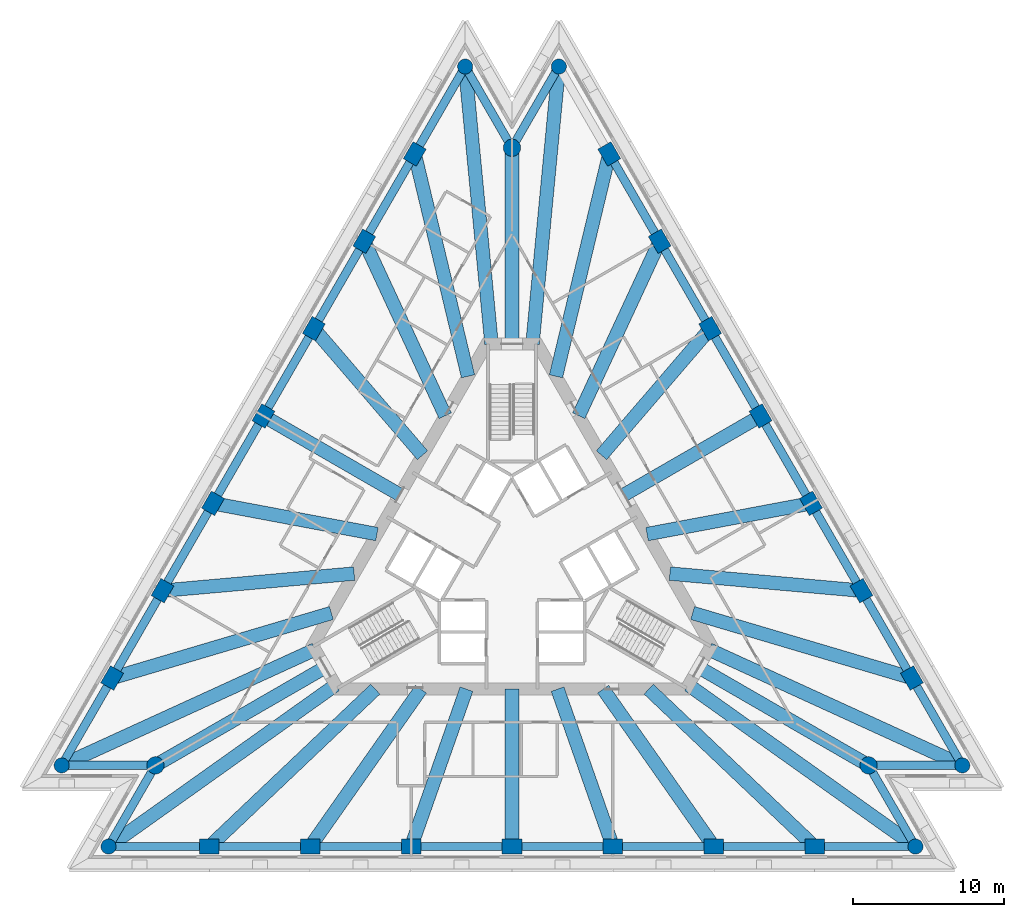
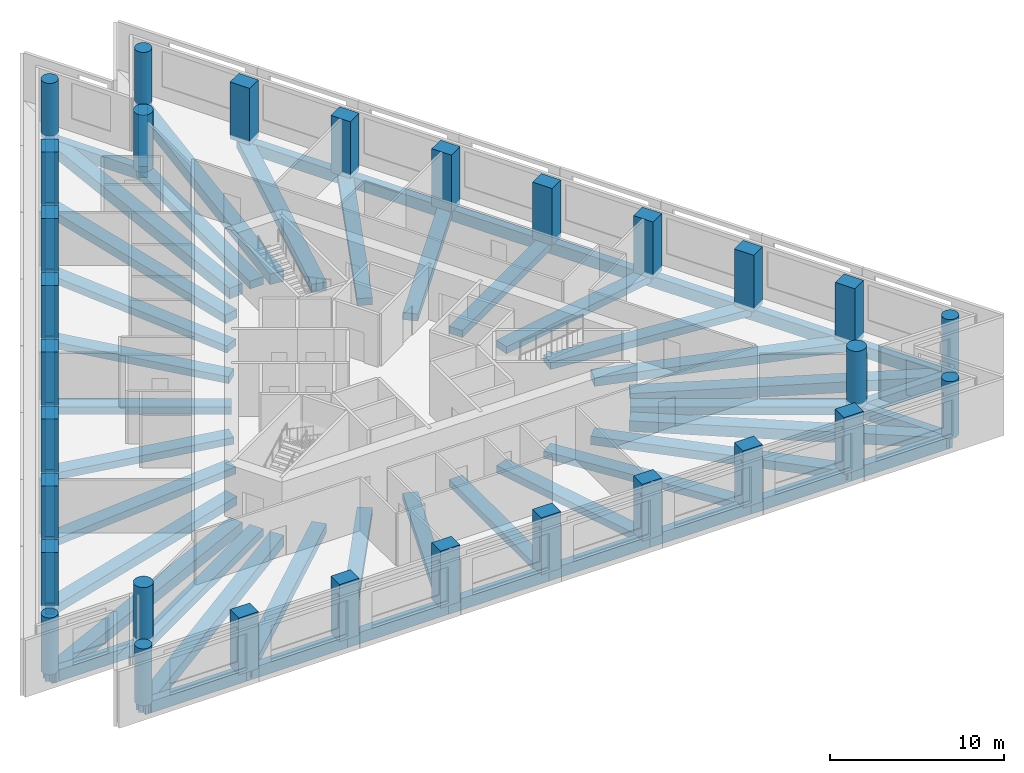
# One storey, part 1 of 9: 59 beams, 30 columns.
"""IFC4 building model written with IfcOpenShell, lengths in metres."""

import ifcopenshell
import ifcopenshell.guid

model = None  # the IFC model being written
_history = None  # IfcOwnerHistory: only IFC2X3 demands one
_inside = {}  # id of a spatial element -> (the spatial element, [elements in it])
_under = {}  # id of a project, library or spatial element -> (it, [spatial elements below it])
_declared = {}  # id of a project -> (the project, [libraries it declares])
_typed = {}  # id of a type object -> (the type object, [elements of that type])
_made_of = {}  # id of a material, layer set ... -> (it, [elements and type objects made of it])


def new_model(schema):
    """Start an empty IFC model of exactly this schema.

    Asked for "IFC4X3", IfcOpenShell would pick the latest addendum, in which some entities
    have other attributes; the version numbers below select the first issue.
    IFC2X3 requires an IfcOwnerHistory on every rooted entity: one is made here for all.
    """
    global model, _history
    if schema == "IFC4X3":
        model = ifcopenshell.file(schema_version=(4, 3, 0, 0))
    else:
        model = ifcopenshell.file(schema=schema)
    _inside.clear()
    _under.clear()
    _declared.clear()
    _typed.clear()
    _made_of.clear()
    _history = None
    if model.schema == "IFC2X3":
        org = make("IfcOrganization", Name="unknown")
        user = make(
            "IfcPersonAndOrganization",
            ThePerson=make("IfcPerson", FamilyName="unknown"),
            TheOrganization=org,
        )
        app = make(
            "IfcApplication",
            ApplicationDeveloper=org,
            Version="unknown",
            ApplicationFullName="unknown",
            ApplicationIdentifier="unknown",
        )
        _history = make(
            "IfcOwnerHistory",
            OwningUser=user,
            OwningApplication=app,
            ChangeAction="ADDED",
            CreationDate=0,
        )
    return model


def make(cls, **values):
    """One entity of the class cls with the attributes given. An attribute that is None is left unset."""
    return model.create_entity(
        cls, **{name: value for name, value in values.items() if value is not None}
    )


def rooted(cls, **values):
    """An entity with a GlobalId (a new one), such as an element, a storey or a relation."""
    return make(cls, GlobalId=ifcopenshell.guid.new(), OwnerHistory=_history, **values)


def si_unit(unit_type, name, prefix=None):
    """IfcSIUnit, for example si_unit("LENGTHUNIT", "METRE", prefix="MILLI")."""
    return make("IfcSIUnit", UnitType=unit_type, Prefix=prefix, Name=name)


def assignment(units):
    """IfcUnitAssignment: the units of a project."""
    return None if units is None else make("IfcUnitAssignment", Units=units)


def point(xyz):
    """IfcCartesianPoint."""
    return None if xyz is None else make("IfcCartesianPoint", Coordinates=xyz)


def direction(xyz):
    """IfcDirection."""
    return None if xyz is None else make("IfcDirection", DirectionRatios=xyz)


def frame(location, z_axis=None, x_axis=None):
    """IfcAxis2Placement3D, a coordinate frame: its origin and axes. An axis left out is left unset."""
    return make(
        "IfcAxis2Placement3D",
        Location=point(location),
        Axis=direction(z_axis),
        RefDirection=direction(x_axis),
    )


def frame_2d(location, x_axis=None):
    """IfcAxis2Placement2D, a coordinate frame in the plane: its origin and x axis."""
    return make(
        "IfcAxis2Placement2D", Location=point(location), RefDirection=direction(x_axis)
    )


def origin():
    """The frame at (0, 0, 0) with its axes left unset."""
    return frame((0.0, 0.0, 0.0))


def origin_2d():
    """The frame at (0, 0) in the plane with its x axis left unset."""
    return frame_2d((0.0, 0.0))


def place(relative_to, where):
    """IfcLocalPlacement: puts the frame where relative to a parent placement (None: the world)."""
    return make(
        "IfcLocalPlacement", PlacementRelTo=relative_to, RelativePlacement=where
    )


def context(
    kind, dimensions, precision=None, world=None, true_north=None, identifier=None
):
    """IfcGeometricRepresentationContext, for example the 3D "Model" context."""
    return make(
        "IfcGeometricRepresentationContext",
        ContextIdentifier=identifier,
        ContextType=kind,
        CoordinateSpaceDimension=dimensions,
        Precision=precision,
        WorldCoordinateSystem=world,
        TrueNorth=true_north,
    )


def subcontext(parent, identifier, kind, view, scale=None):
    """IfcGeometricRepresentationSubContext, for example "Body" below "Model"."""
    return make(
        "IfcGeometricRepresentationSubContext",
        ContextIdentifier=identifier,
        ContextType=kind,
        ParentContext=parent,
        TargetScale=scale,
        TargetView=view,
    )


def project(units=None, contexts=None):
    """IfcProject with its units and contexts."""
    return rooted(
        "IfcProject",
        Name="project",
        RepresentationContexts=contexts,
        UnitsInContext=assignment(units),
    )


def spatial(cls, under=None, at=None, **own):
    """A site, building, storey or space (cls), placed at a placement, below another one or the project."""
    s = rooted(cls, ObjectPlacement=at, **own)
    if under is not None:
        _under.setdefault(under.id(), (under, []))[1].append(s)
    return s


def profile(cls, at=None, kind="AREA", **sizes):
    """A parametric profile (cls). Its sizes go by their IFC names, for example OverallWidth=200.0."""
    return make(cls, ProfileType=kind, Position=at, **sizes)


def rectangle(**sizes):
    """IfcRectangleProfileDef."""
    return profile("IfcRectangleProfileDef", **sizes)


def circle(**sizes):
    """IfcCircleProfileDef."""
    return profile("IfcCircleProfileDef", **sizes)


def extrude(swept, where, along, depth):
    """IfcExtrudedAreaSolid: the profile swept, set in the frame where, extruded along a direction by depth."""
    return make(
        "IfcExtrudedAreaSolid",
        SweptArea=swept,
        Position=where,
        ExtrudedDirection=direction(along),
        Depth=depth,
    )


def shape(context_of_items, identifier, shape_type, items):
    """IfcShapeRepresentation: the items that make up one representation, for example the "Body"."""
    return make(
        "IfcShapeRepresentation",
        ContextOfItems=context_of_items,
        RepresentationIdentifier=identifier,
        RepresentationType=shape_type,
        Items=items,
    )


def material(Name=None, Category=None):
    """IfcMaterial."""
    return make("IfcMaterial", Name=Name, Category=Category)


def material_profile(
    of_material, cross_section, Name=None, Category=None, Priority=None
):
    """IfcMaterialProfile: a cross section and its material."""
    return make(
        "IfcMaterialProfile",
        Name=Name,
        Material=of_material,
        Profile=cross_section,
        Priority=Priority,
        Category=Category,
    )


def profile_set(profiles, Name=None, composite=None):
    """IfcMaterialProfileSet."""
    return make(
        "IfcMaterialProfileSet",
        Name=Name,
        MaterialProfiles=profiles,
        CompositeProfile=composite,
    )


def made_of(thing, what):
    """Note that an element or type object is made of a material, layer set ...; save() writes the relation."""
    if what is not None:
        _made_of.setdefault(what.id(), (what, []))[1].append(thing)
    return thing


def type_object(cls, material=None, **own):
    """A type object (cls), such as IfcWallType, which elements share."""
    return made_of(rooted(cls, **own), material)


def element(
    cls,
    number,
    at=None,
    inside=None,
    cuts=None,
    type_object=None,
    material=None,
    context=None,
    identifier="Body",
    shape_type=None,
    held_by="IfcProductDefinitionShape",
    body=None,
    shapes=None,
    **own,
):
    """One element of the class cls, such as IfcWall. Its Tag is "e" and its number.

    at: its placement. inside: the storey or other place that contains it. cuts: it is an
    opening in that element (IfcRelVoidsElement). A single representation is given by context,
    identifier, shape_type and body (its items); several are given by shapes. held_by: the class
    of the entity that holds the representations. save() writes the other relations.
    """
    e = rooted(cls, Tag="e%d" % number, ObjectPlacement=at, **own)
    if body is not None:
        shapes = [shape(context, identifier, shape_type, body)]
    if shapes is not None:
        e.Representation = make(held_by, Representations=shapes)
    if inside is not None:
        _inside.setdefault(inside.id(), (inside, []))[1].append(e)
    if cuts is not None:
        rooted(
            "IfcRelVoidsElement", RelatingBuildingElement=cuts, RelatedOpeningElement=e
        )
    if type_object is not None:
        _typed.setdefault(type_object.id(), (type_object, []))[1].append(e)
    return made_of(e, material)


def aggregate(whole, parts):
    """IfcRelAggregates: a whole, such as a stair, and the parts it consists of."""
    return rooted("IfcRelAggregates", RelatingObject=whole, RelatedObjects=parts)


def save(model, path):
    """Write the relations noted so far, then the file.

    IfcRelAggregates (storeys below a building ...), IfcRelContainedInSpatialStructure (elements
    in a storey), IfcRelDefinesByType, IfcRelAssociatesMaterial and IfcRelDeclares: one each for
    every whole, place, type object, material and project.
    """
    for whole, parts in _under.values():
        aggregate(whole, parts)
    for where, things in _inside.values():
        rooted(
            "IfcRelContainedInSpatialStructure",
            RelatedElements=things,
            RelatingStructure=where,
        )
    for kind, things in _typed.values():
        rooted("IfcRelDefinesByType", RelatedObjects=things, RelatingType=kind)
    for what, things in _made_of.values():
        rooted("IfcRelAssociatesMaterial", RelatedObjects=things, RelatingMaterial=what)
    for by, libraries in _declared.values():
        rooted("IfcRelDeclares", RelatingContext=by, RelatedDefinitions=libraries)
    model.write(path)


model = new_model("IFC4")

# Units and contexts
model_context = context("Model", 3, precision=1e-05, world=origin(), true_north=direction((0.0, 1.0)))
body_context = subcontext(model_context, "Body", "Model", "MODEL_VIEW")
ifc_project = project(units=[si_unit("LENGTHUNIT", "METRE"), si_unit("AREAUNIT", "SQUARE_METRE"), si_unit("VOLUMEUNIT", "CUBIC_METRE"), si_unit("PLANEANGLEUNIT", "RADIAN"), si_unit("MASSUNIT", "GRAM", prefix="KILO")], contexts=[model_context])

# Site, building, storey
site_placement = place(None, origin())
site = spatial("IfcSite", under=ifc_project, at=site_placement, CompositionType="ELEMENT")
building_placement = place(site_placement, origin())
building = spatial("IfcBuilding", under=site, at=building_placement, Name="Triada Interchange Tower", CompositionType="ELEMENT")
storey_placement = place(building_placement, frame((0.0, 0.0, 140.300048828125)))
storey = spatial("IfcBuildingStorey", under=building, at=storey_placement, Name="L32", CompositionType="ELEMENT", Elevation=140.300048828125)

# Columns
ifc_material_1 = material(Name="Concrete C60/75", Category="concrete")
ifc_material_profile_1 = material_profile(ifc_material_1, rectangle(XDim=1.300048828125, YDim=1.0, at=origin_2d()), Name="RC 1300x1000")
ifc_profile_set_1 = profile_set([ifc_material_profile_1], Name="Concrete C60/75")
column_type_1 = type_object("IfcColumnType", Name="Column B face RC 1300x1000", PredefinedType="COLUMN", material=ifc_profile_set_1)
for number, where, z_axis, x_axis, name in (
    (1, (-6.452880859375, 26.89990234375, -0.300048828125), (0.0, 0.0, 1.0), (0.5, 0.866025403784, 0.0), "Column CB02 L32"),
    (2, (-9.798095703125, 21.10693359375, -0.300048828125), (0.0, 0.0, 1.0), (0.5, 0.866025403784, 0.0), "Column CB03 L32"),
    (3, (-13.14306640625, 15.31298828125, -0.300048828125), (0.0, 0.0, 1.0), (0.5, 0.866025403784, 0.0), "Column CB04 L32"),
    (4, (-16.488037109375, 9.52001953125, -0.300048828125), (0.0, 0.0, 1.0), (0.5, 0.866025403784, 0.0), "Column CB05 L32"),
    (5, (-19.8330078125, 3.72607421875, -0.300048828125), (0.0, 0.0, 1.0), (0.5, 0.866025403784, 0.0), "Column CB06 L32"),
    (6, (-23.177978515625, -2.068115234375, -0.300048828125), (0.0, 0.0, 1.0), (0.5, 0.866025403784, 0.0), "Column CB07 L32"),
    (7, (-26.52294921875, -7.861083984375, -0.300048828125), (0.0, 0.0, 1.0), (0.5, 0.866025403784, 0.0), "Column CB08 L32"),
    (8, (-20.070068359375, -19.0390625, -0.300048828125), (0.0, 0.0, 1.0), (1.0, 0.0, 0.0), "Column CB11 L32"),
    (9, (-13.3798828125, -19.0390625, -0.300048828125), (0.0, 0.0, 1.0), (1.0, 0.0, 0.0), "Column CB12 L32"),
    (10, (-6.68994140625, -19.0390625, -0.300048828125), (0.0, 0.0, 1.0), (1.0, 0.0, 0.0), "Column CB13 L32"),
    (11, (0.0, -19.0390625, -0.300048828125), (0.0, 0.0, 1.0), (1.0, 0.0, 0.0), "Column CB14 L32"),
    (12, (6.68994140625, -19.0390625, -0.300048828125), (0.0, 0.0, 1.0), (1.0, 0.0, 0.0), "Column CB15 L32"),
    (13, (13.3798828125, -19.0390625, -0.300048828125), (0.0, 0.0, 1.0), (1.0, 0.0, 0.0), "Column CB16 L32"),
    (14, (20.070068359375, -19.0390625, -0.300048828125), (0.0, 0.0, 1.0), (1.0, 0.0, 0.0), "Column CB17 L32"),
    (15, (26.52294921875, -7.861083984375, -0.300048828125), (0.0, 0.0, 1.0), (-0.5, 0.866025403784, 0.0), "Column CB20 L32"),
    (16, (23.177978515625, -2.068115234375, -0.300048828125), (0.0, 0.0, 1.0), (-0.5, 0.866025403784, 0.0), "Column CB21 L32"),
    (17, (19.8330078125, 3.72607421875, -0.300048828125), (0.0, 0.0, 1.0), (-0.5, 0.866025403784, 0.0), "Column CB22 L32"),
    (18, (16.488037109375, 9.52001953125, -0.300048828125), (0.0, 0.0, 1.0), (-0.5, 0.866025403784, 0.0), "Column CB23 L32"),
    (19, (13.14306640625, 15.31298828125, -0.300048828125), (0.0, 0.0, 1.0), (-0.5, 0.866025403784, 0.0), "Column CB24 L32"),
    (20, (9.798095703125, 21.10693359375, -0.300048828125), (0.0, 0.0, 1.0), (-0.5, 0.866025403784, 0.0), "Column CB25 L32"),
    (21, (6.452880859375, 26.89990234375, -0.300048828125), (0.0, 0.0, 1.0), (-0.5, 0.866025403784, 0.0), "Column CB26 L32"),
):
    element("IfcColumn", number, at=place(storey_placement, frame(where, z_axis=z_axis, x_axis=x_axis)), inside=storey, type_object=column_type_1, Name=name, PredefinedType="COLUMN", context=body_context, shape_type="SweptSolid", body=[
        extrude(rectangle(XDim=1.300048828125, YDim=1.0, at=origin_2d()), origin(), (0.0, 0.0, 1.0), 4.0),
    ])
ifc_material_profile_2 = material_profile(ifc_material_1, circle(Radius=0.5, at=origin_2d()), Name="RC D1000")
ifc_profile_set_2 = profile_set([ifc_material_profile_2], Name="Concrete C60/75")
column_type_2 = type_object("IfcColumnType", Name="End column B RC D1000", PredefinedType="COLUMN", material=ifc_profile_set_2)
for number, where, z_axis, x_axis, name in (
    (22, (-3.10791015625, 32.694091796875, -0.300048828125), (0.0, 0.0, 1.0), (0.5, 0.866025403784, 0.0), "Column CB01 L32"),
    (23, (-29.867919921875, -13.655029296875, -0.300048828125), (0.0, 0.0, 1.0), (0.5, 0.866025403784, 0.0), "Column CB09 L32"),
    (24, (-26.760009765625, -19.0390625, -0.300048828125), (0.0, 0.0, 1.0), (1.0, 0.0, 0.0), "Column CB10 L32"),
    (25, (26.760009765625, -19.0390625, -0.300048828125), (0.0, 0.0, 1.0), (1.0, 0.0, 0.0), "Column CB18 L32"),
    (26, (29.867919921875, -13.655029296875, -0.300048828125), (0.0, 0.0, 1.0), (-0.5, 0.866025403784, 0.0), "Column CB19 L32"),
    (27, (3.10791015625, 32.694091796875, -0.300048828125), (0.0, 0.0, 1.0), (-0.5, 0.866025403784, 0.0), "Column CB27 L32"),
):
    element("IfcColumn", number, at=place(storey_placement, frame(where, z_axis=z_axis, x_axis=x_axis)), inside=storey, type_object=column_type_2, Name=name, PredefinedType="COLUMN", context=body_context, shape_type="SweptSolid", body=[
        extrude(circle(Radius=0.5, at=origin_2d()), origin(), (0.0, 0.0, 1.0), 4.0),
    ])
ifc_material_profile_3 = material_profile(ifc_material_1, circle(Radius=0.574951171875, at=origin_2d()), Name="RC D1150")
ifc_profile_set_3 = profile_set([ifc_material_profile_3], Name="Concrete C60/75")
column_type_3 = type_object("IfcColumnType", Name="Mega column B RC D1150", PredefinedType="COLUMN", material=ifc_profile_set_3)
for number, where, z_axis, x_axis, name in (
    (28, (0.0, 27.31103515625, -0.300048828125), (0.0, 0.0, 1.0), (1.0, 0.0, 0.0), "Column MB1 L32"),
    (29, (-23.652099609375, -13.655029296875, -0.300048828125), (0.0, 0.0, 1.0), (1.0, 0.0, 0.0), "Column MB2 L32"),
    (30, (23.652099609375, -13.655029296875, -0.300048828125), (0.0, 0.0, 1.0), (1.0, 0.0, 0.0), "Column MB3 L32"),
):
    element("IfcColumn", number, at=place(storey_placement, frame(where, z_axis=z_axis, x_axis=x_axis)), inside=storey, type_object=column_type_3, Name=name, PredefinedType="COLUMN", context=body_context, shape_type="SweptSolid", body=[
        extrude(circle(Radius=0.574951171875, at=origin_2d()), origin(), (0.0, 0.0, 1.0), 4.0),
    ])

# Beams
ifc_material_2 = material(Name="Concrete C50/60", Category="concrete")
ifc_material_profile_4 = material_profile(ifc_material_2, rectangle(XDim=0.89990234375, YDim=0.5, at=origin_2d()), Name="RC 900x500")
ifc_profile_set_4 = profile_set([ifc_material_profile_4], Name="Concrete C50/60")
beam_type_1 = type_object("IfcBeamType", Name="Radial band beam B RC 900x500", PredefinedType="BEAM", material=ifc_profile_set_4)
beam_1_placement = place(storey_placement, frame((-9.798095703125, 21.10693359375, -0.550048828125), z_axis=(0.421039906422, -0.907042114348, 0.0), x_axis=(0.907042114348, 0.421039906422, 0.0)))
element("IfcBeam", 31, at=beam_1_placement, inside=storey, type_object=beam_type_1, Name="Radial band beam BB03 L32", PredefinedType="BEAM", context=body_context, shape_type="SweptSolid", body=[
    extrude(rectangle(XDim=0.89990234375, YDim=0.5, at=origin_2d()), origin(), (0.0, 0.0, 1.0), 12.759033203125),
])
beam_2_placement = place(storey_placement, frame((-13.14306640625, 15.31298828125, -0.550048828125), z_axis=(0.651285502913, -0.758832783751, 0.0), x_axis=(0.758832783751, 0.651285502913, 0.0)))
element("IfcBeam", 32, at=beam_2_placement, inside=storey, type_object=beam_type_1, Name="Radial band beam BB04 L32", PredefinedType="BEAM", context=body_context, shape_type="SweptSolid", body=[
    extrude(rectangle(XDim=0.89990234375, YDim=0.5, at=origin_2d()), origin(), (0.0, 0.0, 1.0), 11.064453125),
])
beam_3_placement = place(storey_placement, frame((-16.488037109375, 9.52001953125, -0.550048828125), z_axis=(0.86601968407, -0.500009906705, 0.0), x_axis=(0.500009906705, 0.86601968407, 0.0)))
element("IfcBeam", 33, at=beam_3_placement, inside=storey, type_object=beam_type_1, Name="Radial band beam BB05 L32", PredefinedType="BEAM", context=body_context, shape_type="SweptSolid", body=[
    extrude(rectangle(XDim=0.89990234375, YDim=0.5, at=origin_2d()), origin(), (0.0, 0.0, 1.0), 10.439697265625),
])
beam_4_placement = place(storey_placement, frame((-19.8330078125, 3.72607421875, -0.550048828125), z_axis=(0.982808184492, -0.184629554773, 0.0), x_axis=(0.184629554773, 0.982808184492, 0.0)))
element("IfcBeam", 34, at=beam_4_placement, inside=storey, type_object=beam_type_1, Name="Radial band beam BB06 L32", PredefinedType="BEAM", context=body_context, shape_type="SweptSolid", body=[
    extrude(rectangle(XDim=0.89990234375, YDim=0.5, at=origin_2d()), origin(), (0.0, 0.0, 1.0), 11.065185546875),
])
beam_5_placement = place(storey_placement, frame((-23.177978515625, -2.068115234375, -0.550048828125), z_axis=(0.996042546371, 0.088877701473, 0.0), x_axis=(-0.088877701473, 0.996042546371, 0.0)))
element("IfcBeam", 35, at=beam_5_placement, inside=storey, type_object=beam_type_1, Name="Radial band beam BB07 L32", PredefinedType="BEAM", context=body_context, shape_type="SweptSolid", body=[
    extrude(rectangle(XDim=0.89990234375, YDim=0.5, at=origin_2d()), origin(), (0.0, 0.0, 1.0), 12.759521484375),
])
beam_6_placement = place(storey_placement, frame((-13.3798828125, -19.0390625, -0.550048828125), z_axis=(0.574969058631, 0.818175153386, 0.0), x_axis=(-0.818175153386, 0.574969058631, 0.0)))
element("IfcBeam", 36, at=beam_6_placement, inside=storey, type_object=beam_type_1, Name="Radial band beam BB13 L32", PredefinedType="BEAM", context=body_context, shape_type="SweptSolid", body=[
    extrude(rectangle(XDim=0.89990234375, YDim=0.5, at=origin_2d()), origin(), (0.0, 0.0, 1.0), 12.7587890625),
])
beam_7_placement = place(storey_placement, frame((-6.68994140625, -19.0390625, -0.550048828125), z_axis=(0.331504042889, 0.943453798312, 0.0), x_axis=(-0.943453798312, 0.331504042889, 0.0)))
element("IfcBeam", 37, at=beam_7_placement, inside=storey, type_object=beam_type_1, Name="Radial band beam BB14 L32", PredefinedType="BEAM", context=body_context, shape_type="SweptSolid", body=[
    extrude(rectangle(XDim=0.89990234375, YDim=0.5, at=origin_2d()), origin(), (0.0, 0.0, 1.0), 11.064697265625),
])
beam_8_placement = place(storey_placement, frame((0.0, -19.0390625, -0.550048828125), z_axis=(0.0, 1.0, 0.0), x_axis=(-1.0, 0.0, 0.0)))
element("IfcBeam", 38, at=beam_8_placement, inside=storey, type_object=beam_type_1, Name="Radial band beam BB15 L32", PredefinedType="BEAM", context=body_context, shape_type="SweptSolid", body=[
    extrude(rectangle(XDim=0.89990234375, YDim=0.5, at=origin_2d()), origin(), (0.0, 0.0, 1.0), 10.43896484375),
])
beam_9_placement = place(storey_placement, frame((6.68994140625, -19.0390625, -0.550048828125), z_axis=(-0.331504042889, 0.943453798312, 0.0), x_axis=(-0.943453798312, -0.331504042889, 0.0)))
element("IfcBeam", 39, at=beam_9_placement, inside=storey, type_object=beam_type_1, Name="Radial band beam BB16 L32", PredefinedType="BEAM", context=body_context, shape_type="SweptSolid", body=[
    extrude(rectangle(XDim=0.89990234375, YDim=0.5, at=origin_2d()), origin(), (0.0, 0.0, 1.0), 11.064697265625),
])
beam_10_placement = place(storey_placement, frame((13.3798828125, -19.0390625, -0.550048828125), z_axis=(-0.574969058631, 0.818175153386, 0.0), x_axis=(-0.818175153386, -0.574969058631, 0.0)))
element("IfcBeam", 40, at=beam_10_placement, inside=storey, type_object=beam_type_1, Name="Radial band beam BB17 L32", PredefinedType="BEAM", context=body_context, shape_type="SweptSolid", body=[
    extrude(rectangle(XDim=0.89990234375, YDim=0.5, at=origin_2d()), origin(), (0.0, 0.0, 1.0), 12.7587890625),
])
beam_11_placement = place(storey_placement, frame((23.177978515625, -2.068115234375, -0.550048828125), z_axis=(-0.996042546371, 0.088877701473, 0.0), x_axis=(-0.088877701473, -0.996042546371, 0.0)))
element("IfcBeam", 41, at=beam_11_placement, inside=storey, type_object=beam_type_1, Name="Radial band beam BB23 L32", PredefinedType="BEAM", context=body_context, shape_type="SweptSolid", body=[
    extrude(rectangle(XDim=0.89990234375, YDim=0.5, at=origin_2d()), origin(), (0.0, 0.0, 1.0), 12.759521484375),
])
beam_12_placement = place(storey_placement, frame((19.8330078125, 3.72607421875, -0.550048828125), z_axis=(-0.982808184492, -0.184629554773, 0.0), x_axis=(0.184629554773, -0.982808184492, 0.0)))
element("IfcBeam", 42, at=beam_12_placement, inside=storey, type_object=beam_type_1, Name="Radial band beam BB24 L32", PredefinedType="BEAM", context=body_context, shape_type="SweptSolid", body=[
    extrude(rectangle(XDim=0.89990234375, YDim=0.5, at=origin_2d()), origin(), (0.0, 0.0, 1.0), 11.065185546875),
])
beam_13_placement = place(storey_placement, frame((16.488037109375, 9.52001953125, -0.550048828125), z_axis=(-0.86601968407, -0.500009906705, 0.0), x_axis=(0.500009906705, -0.86601968407, 0.0)))
element("IfcBeam", 43, at=beam_13_placement, inside=storey, type_object=beam_type_1, Name="Radial band beam BB25 L32", PredefinedType="BEAM", context=body_context, shape_type="SweptSolid", body=[
    extrude(rectangle(XDim=0.89990234375, YDim=0.5, at=origin_2d()), origin(), (0.0, 0.0, 1.0), 10.439697265625),
])
beam_14_placement = place(storey_placement, frame((13.14306640625, 15.31298828125, -0.550048828125), z_axis=(-0.651285502913, -0.758832783751, 0.0), x_axis=(0.758832783751, -0.651285502913, 0.0)))
element("IfcBeam", 44, at=beam_14_placement, inside=storey, type_object=beam_type_1, Name="Radial band beam BB26 L32", PredefinedType="BEAM", context=body_context, shape_type="SweptSolid", body=[
    extrude(rectangle(XDim=0.89990234375, YDim=0.5, at=origin_2d()), origin(), (0.0, 0.0, 1.0), 11.064453125),
])
beam_15_placement = place(storey_placement, frame((9.798095703125, 21.10693359375, -0.550048828125), z_axis=(-0.421039906422, -0.907042114348, 0.0), x_axis=(0.907042114348, -0.421039906422, 0.0)))
element("IfcBeam", 45, at=beam_15_placement, inside=storey, type_object=beam_type_1, Name="Radial band beam BB27 L32", PredefinedType="BEAM", context=body_context, shape_type="SweptSolid", body=[
    extrude(rectangle(XDim=0.89990234375, YDim=0.5, at=origin_2d()), origin(), (0.0, 0.0, 1.0), 12.759033203125),
])
ifc_material_profile_5 = material_profile(ifc_material_2, rectangle(XDim=0.89990234375, YDim=0.550048828125, at=origin_2d()), Name="RC 900x550")
ifc_profile_set_5 = profile_set([ifc_material_profile_5], Name="Concrete C50/60")
beam_type_2 = type_object("IfcBeamType", Name="Radial band beam B RC 900x550", PredefinedType="BEAM", material=ifc_profile_set_5)
for number, where, z_axis, x_axis, name in (
    (46, (-23.652099609375, -13.655029296875, -0.574951171875), (0.866041851207, 0.499971511146, 0.0), (-0.499971511146, 0.866041851207, 0.0), "Radial band beam BB10 L32"),
    (47, (23.652099609375, -13.655029296875, -0.574951171875), (-0.866041851207, 0.499971511146, 0.0), (-0.499971511146, -0.866041851207, 0.0), "Radial band beam BB20 L32"),
    (48, (0.0, 27.31103515625, -0.574951171875), (0.0, -1.0, 0.0), (1.0, 0.0, 0.0), "Radial band beam BB30 L32"),
):
    element("IfcBeam", number, at=place(storey_placement, frame(where, z_axis=z_axis, x_axis=x_axis)), inside=storey, type_object=beam_type_2, Name=name, PredefinedType="BEAM", context=body_context, shape_type="SweptSolid", body=[
        extrude(rectangle(XDim=0.89990234375, YDim=0.550048828125, at=origin_2d()), origin(), (0.0, 0.0, 1.0), 13.010986328125),
    ])
ifc_material_profile_6 = material_profile(ifc_material_2, rectangle(XDim=0.89990234375, YDim=0.60009765625, at=origin_2d()), Name="RC 900x600")
ifc_profile_set_6 = profile_set([ifc_material_profile_6], Name="Concrete C50/60")
beam_type_3 = type_object("IfcBeamType", Name="Radial band beam B RC 900x600", PredefinedType="BEAM", material=ifc_profile_set_6)
beam_16_placement = place(storey_placement, frame((-6.452880859375, 26.89990234375, -0.60009765625), z_axis=(0.233253019082, -0.972416078173, 0.0), x_axis=(0.972416078173, 0.233253019082, 0.0)))
element("IfcBeam", 49, at=beam_16_placement, inside=storey, type_object=beam_type_3, Name="Radial band beam BB02 L32", PredefinedType="BEAM", context=body_context, shape_type="SweptSolid", body=[
    extrude(rectangle(XDim=0.89990234375, YDim=0.60009765625, at=origin_2d()), origin(), (0.0, 0.0, 1.0), 15.16748046875),
])
beam_17_placement = place(storey_placement, frame((-26.52294921875, -7.861083984375, -0.60009765625), z_axis=(0.958779599778, 0.284150803359, 0.0), x_axis=(-0.284150803359, 0.958779599778, 0.0)))
element("IfcBeam", 50, at=beam_17_placement, inside=storey, type_object=beam_type_3, Name="Radial band beam BB08 L32", PredefinedType="BEAM", context=body_context, shape_type="SweptSolid", body=[
    extrude(rectangle(XDim=0.89990234375, YDim=0.60009765625, at=origin_2d()), origin(), (0.0, 0.0, 1.0), 15.168212890625),
])
for number, where, z_axis, x_axis, name in (
    (51, (-20.070068359375, -19.0390625, -0.60009765625), (0.725492341972, 0.688230238902, 0.0), (-0.688230238902, 0.725492341972, 0.0), "Radial band beam BB12 L32"),
    (52, (20.070068359375, -19.0390625, -0.60009765625), (-0.725492341972, 0.688230238902, 0.0), (-0.688230238902, -0.725492341972, 0.0), "Radial band beam BB18 L32"),
):
    element("IfcBeam", number, at=place(storey_placement, frame(where, z_axis=z_axis, x_axis=x_axis)), inside=storey, type_object=beam_type_3, Name=name, PredefinedType="BEAM", context=body_context, shape_type="SweptSolid", body=[
        extrude(rectangle(XDim=0.89990234375, YDim=0.60009765625, at=origin_2d()), origin(), (0.0, 0.0, 1.0), 15.167724609375),
    ])
beam_18_placement = place(storey_placement, frame((26.52294921875, -7.861083984375, -0.60009765625), z_axis=(-0.958779599778, 0.284150803359, 0.0), x_axis=(-0.284150803359, -0.958779599778, 0.0)))
element("IfcBeam", 53, at=beam_18_placement, inside=storey, type_object=beam_type_3, Name="Radial band beam BB22 L32", PredefinedType="BEAM", context=body_context, shape_type="SweptSolid", body=[
    extrude(rectangle(XDim=0.89990234375, YDim=0.60009765625, at=origin_2d()), origin(), (0.0, 0.0, 1.0), 15.168212890625),
])
beam_19_placement = place(storey_placement, frame((6.452880859375, 26.89990234375, -0.60009765625), z_axis=(-0.233253019082, -0.972416078173, 0.0), x_axis=(0.972416078173, -0.233253019082, 0.0)))
element("IfcBeam", 54, at=beam_19_placement, inside=storey, type_object=beam_type_3, Name="Radial band beam BB28 L32", PredefinedType="BEAM", context=body_context, shape_type="SweptSolid", body=[
    extrude(rectangle(XDim=0.89990234375, YDim=0.60009765625, at=origin_2d()), origin(), (0.0, 0.0, 1.0), 15.16748046875),
])
ifc_material_profile_7 = material_profile(ifc_material_2, rectangle(XDim=0.89990234375, YDim=0.75, at=origin_2d()), Name="RC 900x750")
ifc_profile_set_7 = profile_set([ifc_material_profile_7], Name="Concrete C50/60")
beam_type_4 = type_object("IfcBeamType", Name="Radial band beam B RC 900x750", PredefinedType="BEAM", material=ifc_profile_set_7)
for number, where, z_axis, x_axis, name in (
    (55, (-3.10791015625, 32.694091796875, -0.675048828125), (0.094659440812, -0.995509713798, 0.0), (0.995509713798, 0.094659440812, 0.0), "Radial band beam BB01 L32"),
    (56, (-29.867919921875, -13.655029296875, -0.675048828125), (0.909447922526, 0.415817840182, 0.0), (-0.415817840182, 0.909447922526, 0.0), "Radial band beam BB09 L32"),
):
    element("IfcBeam", number, at=place(storey_placement, frame(where, z_axis=z_axis, x_axis=x_axis)), inside=storey, type_object=beam_type_4, Name=name, PredefinedType="BEAM", context=body_context, shape_type="SweptSolid", body=[
        extrude(rectangle(XDim=0.89990234375, YDim=0.75, at=origin_2d()), origin(), (0.0, 0.0, 1.0), 18.47705078125),
    ])
for number, where, z_axis, x_axis, name in (
    (57, (-26.760009765625, -19.0390625, -0.675048828125), (0.814808724717, 0.579729887211, 0.0), (-0.579729887211, 0.814808724717, 0.0), "Radial band beam BB11 L32"),
    (58, (26.760009765625, -19.0390625, -0.675048828125), (-0.814808724717, 0.579729887211, 0.0), (-0.579729887211, -0.814808724717, 0.0), "Radial band beam BB19 L32"),
):
    element("IfcBeam", number, at=place(storey_placement, frame(where, z_axis=z_axis, x_axis=x_axis)), inside=storey, type_object=beam_type_4, Name=name, PredefinedType="BEAM", context=body_context, shape_type="SweptSolid", body=[
        extrude(rectangle(XDim=0.89990234375, YDim=0.75, at=origin_2d()), origin(), (0.0, 0.0, 1.0), 18.477783203125),
    ])
for number, where, z_axis, x_axis, name in (
    (59, (29.867919921875, -13.655029296875, -0.675048828125), (-0.909447922526, 0.415817840182, 0.0), (-0.415817840182, -0.909447922526, 0.0), "Radial band beam BB21 L32"),
    (60, (3.10791015625, 32.694091796875, -0.675048828125), (-0.094659440812, -0.995509713798, 0.0), (0.995509713798, -0.094659440812, 0.0), "Radial band beam BB29 L32"),
):
    element("IfcBeam", number, at=place(storey_placement, frame(where, z_axis=z_axis, x_axis=x_axis)), inside=storey, type_object=beam_type_4, Name=name, PredefinedType="BEAM", context=body_context, shape_type="SweptSolid", body=[
        extrude(rectangle(XDim=0.89990234375, YDim=0.75, at=origin_2d()), origin(), (0.0, 0.0, 1.0), 18.47705078125),
    ])
ifc_material_profile_8 = material_profile(ifc_material_2, rectangle(XDim=0.550048828125, YDim=0.800048828125, at=origin_2d()), Name="RC 550x800")
ifc_profile_set_8 = profile_set([ifc_material_profile_8], Name="Concrete C50/60")
beam_type_5 = type_object("IfcBeamType", Name="Spandrel beam B RC 550x800", PredefinedType="BEAM", material=ifc_profile_set_8)
beam_20_placement = place(storey_placement, frame((-3.10791015625, 32.694091796875, -0.699951171875), z_axis=(-0.499965681329, -0.866045216772, 0.0), x_axis=(0.866045216772, -0.499965681329, 0.0)))
element("IfcBeam", 61, at=beam_20_placement, inside=storey, type_object=beam_type_5, Name="Spandrel beam EB01 L32", PredefinedType="BEAM", context=body_context, shape_type="SweptSolid", body=[
    extrude(rectangle(XDim=0.550048828125, YDim=0.800048828125, at=origin_2d()), origin(), (0.0, 0.0, 1.0), 6.6904296875),
])
beam_21_placement = place(storey_placement, frame((-6.452880859375, 26.89990234375, -0.699951171875), z_axis=(-0.500072064175, -0.865983793516, 0.0), x_axis=(0.865983793516, -0.500072064175, 0.0)))
element("IfcBeam", 62, at=beam_21_placement, inside=storey, type_object=beam_type_5, Name="Spandrel beam EB02 L32", PredefinedType="BEAM", context=body_context, shape_type="SweptSolid", body=[
    extrude(rectangle(XDim=0.550048828125, YDim=0.800048828125, at=origin_2d()), origin(), (0.0, 0.0, 1.0), 6.689453125),
])
beam_22_placement = place(storey_placement, frame((-9.798095703125, 21.10693359375, -0.699951171875), z_axis=(-0.499981482168, -0.866036094796, 0.0), x_axis=(0.866036094796, -0.499981482168, 0.0)))
element("IfcBeam", 63, at=beam_22_placement, inside=storey, type_object=beam_type_5, Name="Spandrel beam EB03 L32", PredefinedType="BEAM", context=body_context, shape_type="SweptSolid", body=[
    extrude(rectangle(XDim=0.550048828125, YDim=0.800048828125, at=origin_2d()), origin(), (0.0, 0.0, 1.0), 6.690185546875),
])
beam_23_placement = place(storey_placement, frame((-13.14306640625, 15.31298828125, -0.699951171875), z_axis=(-0.500044693844, -0.865999598244, 0.0), x_axis=(0.865999598244, -0.500044693844, 0.0)))
element("IfcBeam", 64, at=beam_23_placement, inside=storey, type_object=beam_type_5, Name="Spandrel beam EB04 L32", PredefinedType="BEAM", context=body_context, shape_type="SweptSolid", body=[
    extrude(rectangle(XDim=0.550048828125, YDim=0.800048828125, at=origin_2d()), origin(), (0.0, 0.0, 1.0), 6.689453125),
])
beam_24_placement = place(storey_placement, frame((-16.488037109375, 9.52001953125, -0.699951171875), z_axis=(-0.499981482168, -0.866036094796, 0.0), x_axis=(0.866036094796, -0.499981482168, 0.0)))
element("IfcBeam", 65, at=beam_24_placement, inside=storey, type_object=beam_type_5, Name="Spandrel beam EB05 L32", PredefinedType="BEAM", context=body_context, shape_type="SweptSolid", body=[
    extrude(rectangle(XDim=0.550048828125, YDim=0.800048828125, at=origin_2d()), origin(), (0.0, 0.0, 1.0), 6.690185546875),
])
beam_25_placement = place(storey_placement, frame((-19.8330078125, 3.72607421875, -0.699951171875), z_axis=(-0.499965681329, -0.866045216772, 0.0), x_axis=(0.866045216772, -0.499965681329, 0.0)))
element("IfcBeam", 66, at=beam_25_placement, inside=storey, type_object=beam_type_5, Name="Spandrel beam EB06 L32", PredefinedType="BEAM", context=body_context, shape_type="SweptSolid", body=[
    extrude(rectangle(XDim=0.550048828125, YDim=0.800048828125, at=origin_2d()), origin(), (0.0, 0.0, 1.0), 6.6904296875),
])
beam_26_placement = place(storey_placement, frame((-23.177978515625, -2.068115234375, -0.699951171875), z_axis=(-0.500044693844, -0.865999598244, 0.0), x_axis=(0.865999598244, -0.500044693844, 0.0)))
element("IfcBeam", 67, at=beam_26_placement, inside=storey, type_object=beam_type_5, Name="Spandrel beam EB07 L32", PredefinedType="BEAM", context=body_context, shape_type="SweptSolid", body=[
    extrude(rectangle(XDim=0.550048828125, YDim=0.800048828125, at=origin_2d()), origin(), (0.0, 0.0, 1.0), 6.689453125),
])
beam_27_placement = place(storey_placement, frame((-26.52294921875, -7.861083984375, -0.699951171875), z_axis=(-0.499981482168, -0.866036094796, 0.0), x_axis=(0.866036094796, -0.499981482168, 0.0)))
element("IfcBeam", 68, at=beam_27_placement, inside=storey, type_object=beam_type_5, Name="Spandrel beam EB08 L32", PredefinedType="BEAM", context=body_context, shape_type="SweptSolid", body=[
    extrude(rectangle(XDim=0.550048828125, YDim=0.800048828125, at=origin_2d()), origin(), (0.0, 0.0, 1.0), 6.690185546875),
])
beam_28_placement = place(storey_placement, frame((-29.867919921875, -13.655029296875, -0.699951171875), z_axis=(1.0, 0.0, 0.0), x_axis=(0.0, 1.0, 0.0)))
element("IfcBeam", 69, at=beam_28_placement, inside=storey, type_object=beam_type_5, Name="Spandrel beam EB09 L32", PredefinedType="BEAM", context=body_context, shape_type="SweptSolid", body=[
    extrude(rectangle(XDim=0.550048828125, YDim=0.800048828125, at=origin_2d()), origin(), (0.0, 0.0, 1.0), 6.2158203125),
])
beam_29_placement = place(storey_placement, frame((-23.652099609375, -13.655029296875, -0.699951171875), z_axis=(-0.499932092729, -0.866064606516, 0.0), x_axis=(0.866064606516, -0.499932092729, 0.0)))
element("IfcBeam", 70, at=beam_29_placement, inside=storey, type_object=beam_type_5, Name="Spandrel beam EB10 L32", PredefinedType="BEAM", context=body_context, shape_type="SweptSolid", body=[
    extrude(rectangle(XDim=0.550048828125, YDim=0.800048828125, at=origin_2d()), origin(), (0.0, 0.0, 1.0), 6.216552734375),
])
beam_30_placement = place(storey_placement, frame((-26.760009765625, -19.0390625, -0.699951171875), z_axis=(1.0, 0.0, 0.0), x_axis=(0.0, 1.0, 0.0)))
element("IfcBeam", 71, at=beam_30_placement, inside=storey, type_object=beam_type_5, Name="Spandrel beam EB11 L32", PredefinedType="BEAM", context=body_context, shape_type="SweptSolid", body=[
    extrude(rectangle(XDim=0.550048828125, YDim=0.800048828125, at=origin_2d()), origin(), (0.0, 0.0, 1.0), 6.68994140625),
])
beam_31_placement = place(storey_placement, frame((-20.070068359375, -19.0390625, -0.699951171875), z_axis=(1.0, 0.0, 0.0), x_axis=(0.0, 1.0, 0.0)))
element("IfcBeam", 72, at=beam_31_placement, inside=storey, type_object=beam_type_5, Name="Spandrel beam EB12 L32", PredefinedType="BEAM", context=body_context, shape_type="SweptSolid", body=[
    extrude(rectangle(XDim=0.550048828125, YDim=0.800048828125, at=origin_2d()), origin(), (0.0, 0.0, 1.0), 6.690185546875),
])
for number, where, z_axis, x_axis, name in (
    (73, (-13.3798828125, -19.0390625, -0.699951171875), (1.0, 0.0, 0.0), (0.0, 1.0, 0.0), "Spandrel beam EB13 L32"),
    (74, (-6.68994140625, -19.0390625, -0.699951171875), (1.0, 0.0, 0.0), (0.0, 1.0, 0.0), "Spandrel beam EB14 L32"),
    (75, (0.0, -19.0390625, -0.699951171875), (1.0, 0.0, 0.0), (0.0, 1.0, 0.0), "Spandrel beam EB15 L32"),
    (76, (6.68994140625, -19.0390625, -0.699951171875), (1.0, 0.0, 0.0), (0.0, 1.0, 0.0), "Spandrel beam EB16 L32"),
):
    element("IfcBeam", number, at=place(storey_placement, frame(where, z_axis=z_axis, x_axis=x_axis)), inside=storey, type_object=beam_type_5, Name=name, PredefinedType="BEAM", context=body_context, shape_type="SweptSolid", body=[
        extrude(rectangle(XDim=0.550048828125, YDim=0.800048828125, at=origin_2d()), origin(), (0.0, 0.0, 1.0), 6.68994140625),
    ])
beam_32_placement = place(storey_placement, frame((13.3798828125, -19.0390625, -0.699951171875), z_axis=(1.0, 0.0, 0.0), x_axis=(0.0, 1.0, 0.0)))
element("IfcBeam", 77, at=beam_32_placement, inside=storey, type_object=beam_type_5, Name="Spandrel beam EB17 L32", PredefinedType="BEAM", context=body_context, shape_type="SweptSolid", body=[
    extrude(rectangle(XDim=0.550048828125, YDim=0.800048828125, at=origin_2d()), origin(), (0.0, 0.0, 1.0), 6.690185546875),
])
beam_33_placement = place(storey_placement, frame((20.070068359375, -19.0390625, -0.699951171875), z_axis=(1.0, 0.0, 0.0), x_axis=(0.0, 1.0, 0.0)))
element("IfcBeam", 78, at=beam_33_placement, inside=storey, type_object=beam_type_5, Name="Spandrel beam EB18 L32", PredefinedType="BEAM", context=body_context, shape_type="SweptSolid", body=[
    extrude(rectangle(XDim=0.550048828125, YDim=0.800048828125, at=origin_2d()), origin(), (0.0, 0.0, 1.0), 6.68994140625),
])
beam_34_placement = place(storey_placement, frame((26.760009765625, -19.0390625, -0.699951171875), z_axis=(-0.499932092729, 0.866064606516, 0.0), x_axis=(-0.866064606516, -0.499932092729, 0.0)))
element("IfcBeam", 79, at=beam_34_placement, inside=storey, type_object=beam_type_5, Name="Spandrel beam EB19 L32", PredefinedType="BEAM", context=body_context, shape_type="SweptSolid", body=[
    extrude(rectangle(XDim=0.550048828125, YDim=0.800048828125, at=origin_2d()), origin(), (0.0, 0.0, 1.0), 6.216552734375),
])
beam_35_placement = place(storey_placement, frame((23.652099609375, -13.655029296875, -0.699951171875), z_axis=(1.0, 0.0, 0.0), x_axis=(0.0, 1.0, 0.0)))
element("IfcBeam", 80, at=beam_35_placement, inside=storey, type_object=beam_type_5, Name="Spandrel beam EB20 L32", PredefinedType="BEAM", context=body_context, shape_type="SweptSolid", body=[
    extrude(rectangle(XDim=0.550048828125, YDim=0.800048828125, at=origin_2d()), origin(), (0.0, 0.0, 1.0), 6.2158203125),
])
beam_36_placement = place(storey_placement, frame((29.867919921875, -13.655029296875, -0.699951171875), z_axis=(-0.499981482168, 0.866036094796, 0.0), x_axis=(-0.866036094796, -0.499981482168, 0.0)))
element("IfcBeam", 81, at=beam_36_placement, inside=storey, type_object=beam_type_5, Name="Spandrel beam EB21 L32", PredefinedType="BEAM", context=body_context, shape_type="SweptSolid", body=[
    extrude(rectangle(XDim=0.550048828125, YDim=0.800048828125, at=origin_2d()), origin(), (0.0, 0.0, 1.0), 6.690185546875),
])
beam_37_placement = place(storey_placement, frame((26.52294921875, -7.861083984375, -0.699951171875), z_axis=(-0.500044693844, 0.865999598244, 0.0), x_axis=(-0.865999598244, -0.500044693844, 0.0)))
element("IfcBeam", 82, at=beam_37_placement, inside=storey, type_object=beam_type_5, Name="Spandrel beam EB22 L32", PredefinedType="BEAM", context=body_context, shape_type="SweptSolid", body=[
    extrude(rectangle(XDim=0.550048828125, YDim=0.800048828125, at=origin_2d()), origin(), (0.0, 0.0, 1.0), 6.689453125),
])
beam_38_placement = place(storey_placement, frame((23.177978515625, -2.068115234375, -0.699951171875), z_axis=(-0.499965681329, 0.866045216772, 0.0), x_axis=(-0.866045216772, -0.499965681329, 0.0)))
element("IfcBeam", 83, at=beam_38_placement, inside=storey, type_object=beam_type_5, Name="Spandrel beam EB23 L32", PredefinedType="BEAM", context=body_context, shape_type="SweptSolid", body=[
    extrude(rectangle(XDim=0.550048828125, YDim=0.800048828125, at=origin_2d()), origin(), (0.0, 0.0, 1.0), 6.6904296875),
])
beam_39_placement = place(storey_placement, frame((19.8330078125, 3.72607421875, -0.699951171875), z_axis=(-0.499981482168, 0.866036094796, 0.0), x_axis=(-0.866036094796, -0.499981482168, 0.0)))
element("IfcBeam", 84, at=beam_39_placement, inside=storey, type_object=beam_type_5, Name="Spandrel beam EB24 L32", PredefinedType="BEAM", context=body_context, shape_type="SweptSolid", body=[
    extrude(rectangle(XDim=0.550048828125, YDim=0.800048828125, at=origin_2d()), origin(), (0.0, 0.0, 1.0), 6.690185546875),
])
beam_40_placement = place(storey_placement, frame((16.488037109375, 9.52001953125, -0.699951171875), z_axis=(-0.500044693844, 0.865999598244, 0.0), x_axis=(-0.865999598244, -0.500044693844, 0.0)))
element("IfcBeam", 85, at=beam_40_placement, inside=storey, type_object=beam_type_5, Name="Spandrel beam EB25 L32", PredefinedType="BEAM", context=body_context, shape_type="SweptSolid", body=[
    extrude(rectangle(XDim=0.550048828125, YDim=0.800048828125, at=origin_2d()), origin(), (0.0, 0.0, 1.0), 6.689453125),
])
beam_41_placement = place(storey_placement, frame((13.14306640625, 15.31298828125, -0.699951171875), z_axis=(-0.499981482168, 0.866036094796, 0.0), x_axis=(-0.866036094796, -0.499981482168, 0.0)))
element("IfcBeam", 86, at=beam_41_placement, inside=storey, type_object=beam_type_5, Name="Spandrel beam EB26 L32", PredefinedType="BEAM", context=body_context, shape_type="SweptSolid", body=[
    extrude(rectangle(XDim=0.550048828125, YDim=0.800048828125, at=origin_2d()), origin(), (0.0, 0.0, 1.0), 6.690185546875),
])
beam_42_placement = place(storey_placement, frame((9.798095703125, 21.10693359375, -0.699951171875), z_axis=(-0.500072064175, 0.865983793516, 0.0), x_axis=(-0.865983793516, -0.500072064175, 0.0)))
element("IfcBeam", 87, at=beam_42_placement, inside=storey, type_object=beam_type_5, Name="Spandrel beam EB27 L32", PredefinedType="BEAM", context=body_context, shape_type="SweptSolid", body=[
    extrude(rectangle(XDim=0.550048828125, YDim=0.800048828125, at=origin_2d()), origin(), (0.0, 0.0, 1.0), 6.689453125),
])
for number, where, z_axis, x_axis, name in (
    (88, (3.10791015625, 32.694091796875, -0.699951171875), (-0.500000115317, -0.866025337206, 0.0), (0.866025337206, -0.500000115317, 0.0), "Spandrel beam EB29 L32"),
    (89, (0.0, 27.31103515625, -0.699951171875), (-0.500000115317, 0.866025337206, 0.0), (-0.866025337206, -0.500000115317, 0.0), "Spandrel beam EB30 L32"),
):
    element("IfcBeam", number, at=place(storey_placement, frame(where, z_axis=z_axis, x_axis=x_axis)), inside=storey, type_object=beam_type_5, Name=name, PredefinedType="BEAM", context=body_context, shape_type="SweptSolid", body=[
        extrude(rectangle(XDim=0.550048828125, YDim=0.800048828125, at=origin_2d()), origin(), (0.0, 0.0, 1.0), 6.2158203125),
    ])

save(model, "model.ifc")
